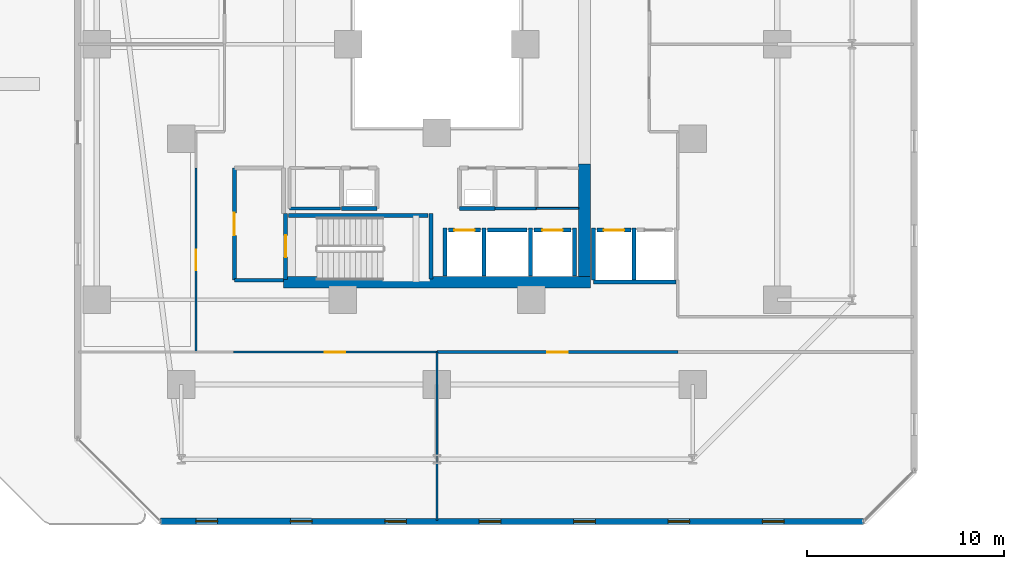
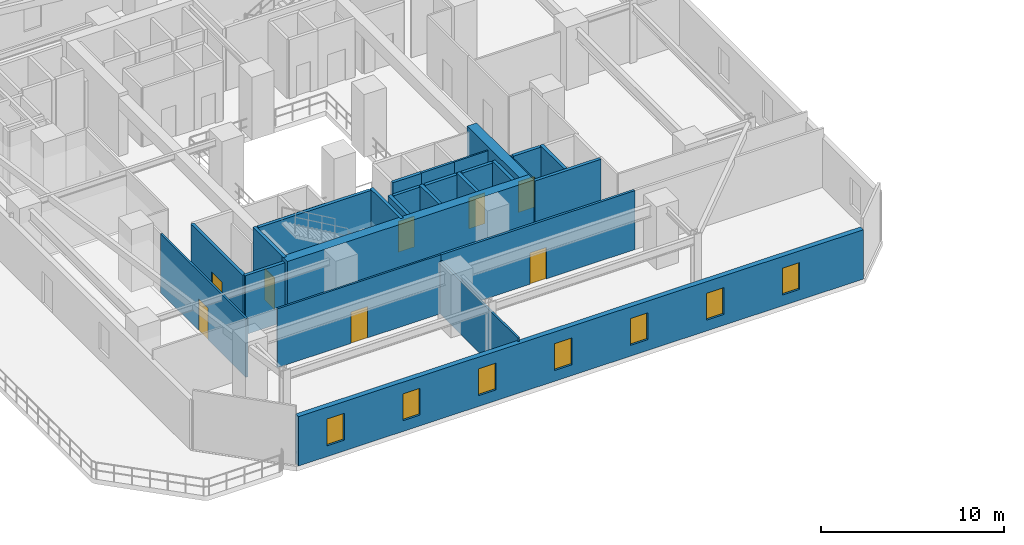
# One storey, part 19 of 33: 28 walls, 8 doors, 7 windows, 15 openings.
"""IFC4 building model written with IfcOpenShell, lengths in metres."""

from ifc_helpers import new_model, si_unit, direction, frame, frame_2d, origin, place, context, subcontext, project, spatial, rectangle, extrude, material, layer, layer_set, type_object, element, fill, save


model = new_model("IFC4")

# Units and contexts
model_context = context("Model", 3, precision=1e-05, world=origin(), true_north=direction((0.0, 1.0)))
body_context = subcontext(model_context, "Body", "Model", "MODEL_VIEW")
ifc_project = project(units=[si_unit("LENGTHUNIT", "METRE"), si_unit("AREAUNIT", "SQUARE_METRE"), si_unit("VOLUMEUNIT", "CUBIC_METRE"), si_unit("PLANEANGLEUNIT", "RADIAN"), si_unit("MASSUNIT", "GRAM", prefix="KILO")], contexts=[model_context])

# Site, building, storey
site_placement = place(None, origin())
site = spatial("IfcSite", under=ifc_project, at=site_placement, CompositionType="ELEMENT")
building_placement = place(site_placement, origin())
building = spatial("IfcBuilding", under=site, at=building_placement, Name="Thornwick Lancets Civic Towers", CompositionType="ELEMENT")
storey_placement = place(building_placement, frame((0.0, 0.0, 49.5)))
storey = spatial("IfcBuildingStorey", under=building, at=storey_placement, Name="L12", CompositionType="ELEMENT", Elevation=49.5)

# Wall, opening, door
ifc_material_1 = material(Name="Concrete blockwork C40/50", Category="masonry")
ifc_layer_1 = layer(ifc_material_1, 0.199951171875, Name="Concrete blockwork C40/50")
ifc_layer_set_1 = layer_set([ifc_layer_1], Name="Concrete blockwork C40/50")
wall_type_1 = type_object("IfcWallType", Name="WALL_COMP_200", PredefinedType="STANDARD", material=ifc_layer_set_1)
wall_1_placement = place(storey_placement, frame((26.080078125, 17.550048828125, 0.0), z_axis=(0.0, 0.0, 1.0), x_axis=(1.0, 0.0, 0.0)))
wall_1 = element("IfcWall", 1, at=wall_1_placement, inside=storey, type_object=wall_type_1, Name="L12 Hoistway Front Wall FL-A1", PredefinedType="STANDARD", context=body_context, shape_type="SweptSolid", body=[
    extrude(rectangle(XDim=1.639892578125, YDim=0.199951171875, at=frame_2d((0.81982421875, 0.0))), origin(), (0.0, 0.0, 1.0), 3.93994140625),
])
opening_1_placement = place(wall_1_placement, frame((0.31005859375, 0.0, 0.0)))
opening_1 = element("IfcOpeningElement", 2, at=opening_1_placement, cuts=wall_1, Name="Opening LD-FL-A1", PredefinedType="OPENING", context=body_context, shape_type="SweptSolid", body=[
    extrude(rectangle(XDim=1.02001953125, YDim=2.06005859375, at=frame_2d((0.510009765625, 1.030029296875))), frame((0.0, 0.10986328125, 0.0), z_axis=(0.0, -1.0, 0.0), x_axis=(1.0, 0.0, 0.0)), (0.0, 0.0, 1.0), 0.219970703125),
])
ifc_material_2 = material(Name="Brushed bronze stainless steel", Category="steel")
door_type_1 = type_object("IfcDoorType", Name="DOOR_LIFT_SLIDE", OperationType="SLIDING_TO_LEFT", PredefinedType="DOOR", material=ifc_material_2)
door_1_placement = place(opening_1_placement, origin())
door_1 = element("IfcDoor", 3, at=door_1_placement, inside=storey, type_object=door_type_1, Name="L12 Sliding Lift Landing Door LD-FL-A1", OperationType="SLIDING_TO_LEFT", OverallHeight=2.06005859375, OverallWidth=1.02001953125, PredefinedType="DOOR", context=body_context, shape_type="SweptSolid", body=[
    extrude(rectangle(XDim=1.02001953125, YDim=2.06005859375, at=frame_2d((0.510009765625, 1.030029296875))), frame((0.0, 0.02490234375, 0.0), z_axis=(0.0, -1.0, 0.0), x_axis=(1.0, 0.0, 0.0)), (0.0, 0.0, 1.0), 0.050048828125),
])
fill(opening_1, door_1)

# Wall
wall_2_placement = place(storey_placement, frame((28.080078125, 17.550048828125, 0.0), z_axis=(0.0, 0.0, 1.0), x_axis=(1.0, 0.0, 0.0)))
element("IfcWall", 4, at=wall_2_placement, inside=storey, type_object=wall_type_1, Name="L12 Hoistway Front Wall PL-AH1", PredefinedType="STANDARD", context=body_context, shape_type="SweptSolid", body=[
    extrude(rectangle(XDim=1.989990234375, YDim=0.199951171875, at=frame_2d((0.9951171875, 0.0))), origin(), (0.0, 0.0, 1.0), 3.93994140625),
])

# Wall, opening, door
wall_3_placement = place(storey_placement, frame((30.429931640625, 17.550048828125, 0.0), z_axis=(0.0, 0.0, 1.0), x_axis=(1.0, 0.0, 0.0)))
wall_3 = element("IfcWall", 5, at=wall_3_placement, inside=storey, type_object=wall_type_1, Name="L12 Hoistway Front Wall PL-AL1", PredefinedType="STANDARD", context=body_context, shape_type="SweptSolid", body=[
    extrude(rectangle(XDim=1.89013671875, YDim=0.199951171875, at=frame_2d((0.945068359375, 0.0))), origin(), (0.0, 0.0, 1.0), 3.93994140625),
])
opening_2_placement = place(wall_3_placement, frame((0.43505859375, 0.0, 0.0)))
opening_2 = element("IfcOpeningElement", 6, at=opening_2_placement, cuts=wall_3, Name="Opening LD-PL-AL1", PredefinedType="OPENING", context=body_context, shape_type="SweptSolid", body=[
    extrude(rectangle(XDim=1.02001953125, YDim=2.06005859375, at=frame_2d((0.510009765625, 1.030029296875))), frame((0.0, 0.10986328125, 0.0), z_axis=(0.0, -1.0, 0.0), x_axis=(1.0, 0.0, 0.0)), (0.0, 0.0, 1.0), 0.219970703125),
])
door_2_placement = place(opening_2_placement, origin())
door_2 = element("IfcDoor", 7, at=door_2_placement, inside=storey, type_object=door_type_1, Name="L12 Sliding Lift Landing Door LD-PL-AL1", OperationType="SLIDING_TO_LEFT", OverallHeight=2.06005859375, OverallWidth=1.02001953125, PredefinedType="DOOR", context=body_context, shape_type="SweptSolid", body=[
    extrude(rectangle(XDim=1.02001953125, YDim=2.06005859375, at=frame_2d((0.510009765625, 1.030029296875))), frame((0.0, 0.02490234375, 0.0), z_axis=(0.0, -1.0, 0.0), x_axis=(1.0, 0.0, 0.0)), (0.0, 0.0, 1.0), 0.050048828125),
])
fill(opening_2, door_2)

wall_4_placement = place(storey_placement, frame((33.6298828125, 17.550048828125, 0.0), z_axis=(0.0, 0.0, 1.0), x_axis=(1.0, 0.0, 0.0)))
wall_4 = element("IfcWall", 8, at=wall_4_placement, inside=storey, type_object=wall_type_1, Name="L12 Hoistway Front Wall PL-AL2", PredefinedType="STANDARD", context=body_context, shape_type="SweptSolid", body=[
    extrude(rectangle(XDim=1.740234375, YDim=0.199951171875, at=frame_2d((0.8701171875, 0.0))), origin(), (0.0, 0.0, 1.0), 3.93994140625),
])
opening_3_placement = place(wall_4_placement, frame((0.360107421875, 0.0, 0.0)))
opening_3 = element("IfcOpeningElement", 9, at=opening_3_placement, cuts=wall_4, Name="Opening LD-PL-AL2", PredefinedType="OPENING", context=body_context, shape_type="SweptSolid", body=[
    extrude(rectangle(XDim=1.02001953125, YDim=2.06005859375, at=frame_2d((0.510009765625, 1.030029296875))), frame((0.0, 0.10986328125, 0.0), z_axis=(0.0, -1.0, 0.0), x_axis=(1.0, 0.0, 0.0)), (0.0, 0.0, 1.0), 0.219970703125),
])
door_3_placement = place(opening_3_placement, origin())
door_3 = element("IfcDoor", 10, at=door_3_placement, inside=storey, type_object=door_type_1, Name="L12 Sliding Lift Landing Door LD-PL-AL2", OperationType="SLIDING_TO_LEFT", OverallHeight=2.06005859375, OverallWidth=1.02001953125, PredefinedType="DOOR", context=body_context, shape_type="SweptSolid", body=[
    extrude(rectangle(XDim=1.02001953125, YDim=2.06005859375, at=frame_2d((0.510009765625, 1.030029296875))), frame((0.0, 0.02490234375, 0.0), z_axis=(0.0, -1.0, 0.0), x_axis=(1.0, 0.0, 0.0)), (0.0, 0.0, 1.0), 0.050048828125),
])
fill(opening_3, door_3)

# Walls
for number, where, z_axis, x_axis, name in (
    (11, (27.89990234375, 15.2119140625, 0.0), (0.0, 0.0, 1.0), (0.0, 1.0, 0.0), "L12 Hoistway Shaft Wall FL-A1 E"),
    (12, (25.89990234375, 15.2119140625, 0.0), (0.0, 0.0, 1.0), (0.0, 1.0, 0.0), "L12 Hoistway Shaft Wall FL-A1 W"),
    (13, (30.25, 15.2119140625, 0.0), (0.0, 0.0, 1.0), (0.0, 1.0, 0.0), "L12 Hoistway Shaft Wall PL-AH1 E"),
    (14, (32.5, 15.2119140625, 0.0), (0.0, 0.0, 1.0), (0.0, 1.0, 0.0), "L12 Hoistway Shaft Wall PL-AL1 E"),
):
    element("IfcWall", number, at=place(storey_placement, frame(where, z_axis=z_axis, x_axis=x_axis)), inside=storey, type_object=wall_type_1, Name=name, PredefinedType="STANDARD", context=body_context, shape_type="SweptSolid", body=[
        extrude(rectangle(XDim=2.43603515625, YDim=0.199951171875, at=frame_2d((1.218017578125, 0.0))), origin(), (0.0, 0.0, 1.0), 3.93994140625),
    ])
wall_5_placement = place(storey_placement, frame((33.451904296875, 14.89990234375, 0.0), z_axis=(0.0, 0.0, 1.0), x_axis=(1.0, 0.0, 0.0)))
element("IfcWall", 15, at=wall_5_placement, inside=storey, type_object=wall_type_1, Name="L12 Hoistway Shaft Wall PL-AL2 S", PredefinedType="STANDARD", context=body_context, shape_type="SweptSolid", body=[
    extrude(rectangle(XDim=4.196044921875, YDim=0.199951171875, at=frame_2d((2.09814453125, 0.0))), origin(), (0.0, 0.0, 1.0), 3.93994140625),
])
for number, where, z_axis, x_axis, name in (
    (16, (35.52490234375, 15.011962890625, 0.0), (0.0, 0.0, 1.0), (0.0, 1.0, 0.0), "L12 Hoistway Shaft Wall PL-AL2 E"),
    (17, (33.449951171875, 15.011962890625, 0.0), (0.0, 0.0, 1.0), (0.0, 1.0, 0.0), "L12 Hoistway Shaft Wall PL-AL2 W"),
):
    element("IfcWall", number, at=place(storey_placement, frame(where, z_axis=z_axis, x_axis=x_axis)), inside=storey, type_object=wall_type_1, Name=name, PredefinedType="STANDARD", context=body_context, shape_type="SweptSolid", body=[
        extrude(rectangle(XDim=2.635986328125, YDim=0.199951171875, at=frame_2d((1.31787109375, 0.0))), origin(), (0.0, 0.0, 1.0), 3.93994140625),
    ])
wall_6_placement = place(storey_placement, frame((15.199951171875, 15.0, 0.0), z_axis=(0.0, 0.0, 1.0), x_axis=(1.0, 0.0, 0.0)))
element("IfcWall", 18, at=wall_6_placement, inside=storey, type_object=wall_type_1, Name="L12 Partition L12-A-FFLOB1 E1", PredefinedType="STANDARD", context=body_context, shape_type="SweptSolid", body=[
    extrude(rectangle(XDim=2.5, YDim=0.199951171875, at=frame_2d((1.25, 0.0))), origin(), (0.0, 0.0, 1.0), 3.93994140625),
])

# Wall, opening, door
wall_7_placement = place(storey_placement, frame((15.199951171875, 20.699951171875, 0.0), z_axis=(0.0, 0.0, 1.0), x_axis=(0.0, -1.0, 0.0)))
wall_7 = element("IfcWall", 19, at=wall_7_placement, inside=storey, type_object=wall_type_1, Name="L12 Partition L12-A-FFLOB1 E4", PredefinedType="STANDARD", context=body_context, shape_type="SweptSolid", body=[
    extrude(rectangle(XDim=5.699951171875, YDim=0.199951171875, at=frame_2d((2.85009765625, 0.0))), origin(), (0.0, 0.0, 1.0), 3.93994140625),
])
opening_4_placement = place(wall_7_placement, frame((2.27490234375, 0.0, 0.0)))
opening_4 = element("IfcOpeningElement", 20, at=opening_4_placement, cuts=wall_7, Name="Opening D-L12-0587", PredefinedType="OPENING", context=body_context, shape_type="SweptSolid", body=[
    extrude(rectangle(XDim=1.14990234375, YDim=2.10009765625, at=frame_2d((0.574951171875, 1.050048828125))), frame((0.0, 0.10986328125, 0.0), z_axis=(0.0, -1.0, 0.0), x_axis=(1.0, 0.0, 0.0)), (0.0, 0.0, 1.0), 0.219970703125),
])
ifc_material_3 = material(Name="Glazed fire-resisting steel", Category="steel")
door_type_2 = type_object("IfcDoorType", Name="DOOR_LOBBY_FD60", OperationType="NOTDEFINED", PredefinedType="DOOR", material=ifc_material_3)
door_4_placement = place(opening_4_placement, origin())
door_4 = element("IfcDoor", 21, at=door_4_placement, inside=storey, type_object=door_type_2, Name="L12 South Firefighting Lobby 1 Door", OperationType="SINGLE_SWING_RIGHT", OverallHeight=2.10009765625, OverallWidth=1.14990234375, PredefinedType="DOOR", context=body_context, shape_type="SweptSolid", body=[
    extrude(rectangle(XDim=1.14990234375, YDim=2.10009765625, at=frame_2d((0.574951171875, 1.050048828125))), frame((0.0, 0.02490234375, 0.0), z_axis=(0.0, -1.0, 0.0), x_axis=(1.0, 0.0, 0.0)), (0.0, 0.0, 1.0), 0.050048828125),
])
fill(opening_4, door_4)

# Walls
for number, where, z_axis, x_axis, name in (
    (22, (26.64990234375, 18.64990234375, 0.0), (0.0, 0.0, 1.0), (1.0, 0.0, 0.0), "L12 Partition L12-A-DUCT1 E1"),
    (23, (20.64990234375, 18.64990234375, 0.0), (0.0, 0.0, 1.0), (1.0, 0.0, 0.0), "L12 Partition L12-A-RISER1 E1"),
):
    element("IfcWall", number, at=place(storey_placement, frame(where, z_axis=z_axis, x_axis=x_axis)), inside=storey, type_object=wall_type_1, Name=name, PredefinedType="STANDARD", context=body_context, shape_type="SweptSolid", body=[
        extrude(rectangle(XDim=1.800048828125, YDim=0.199951171875, at=frame_2d((0.89990234375, 0.0))), origin(), (0.0, 0.0, 1.0), 3.93994140625),
    ])
ifc_material_4 = material(Name="Concrete C60/75", Category="concrete")
ifc_layer_2 = layer(ifc_material_4, 0.60009765625, Name="Concrete C60/75")
ifc_layer_set_2 = layer_set([ifc_layer_2], Name="Concrete C60/75")
wall_type_2 = type_object("IfcWallType", Name="WALL_CORE_600", PredefinedType="SHEAR", material=ifc_layer_set_2)
wall_8_placement = place(storey_placement, frame((17.699951171875, 14.89990234375, 0.0), z_axis=(0.0, 0.0, 1.0), x_axis=(1.0, 0.0, 0.0)))
element("IfcWall", 24, at=wall_8_placement, inside=storey, type_object=wall_type_2, Name="L12 Split Core A1 Shear Wall S", PredefinedType="SHEAR", context=body_context, shape_type="SweptSolid", body=[
    extrude(rectangle(XDim=15.60009765625, YDim=0.60009765625, at=frame_2d((7.800048828125, 0.0))), origin(), (0.0, 0.0, 1.0), 4.199951171875),
])
wall_9_placement = place(storey_placement, frame((33.0, 15.199951171875, 0.0), z_axis=(0.0, 0.0, 1.0), x_axis=(0.0, 1.0, 0.0)))
element("IfcWall", 25, at=wall_9_placement, inside=storey, type_object=wall_type_2, Name="L12 Split Core A1 Shear Wall E", PredefinedType="SHEAR", context=body_context, shape_type="SweptSolid", body=[
    extrude(rectangle(XDim=5.699951171875, YDim=0.60009765625, at=frame_2d((2.85009765625, 0.0))), origin(), (0.0, 0.0, 1.0), 4.199951171875),
])

# Wall, openings, windows
ifc_material_5 = material(Name="Insulated buff terracotta rainscreen on concrete C40/50", Category="masonry")
ifc_layer_3 = layer(ifc_material_5, 0.320068359375, Name="Insulated buff terracotta rainscreen on concrete C40/50")
ifc_layer_set_3 = layer_set([ifc_layer_3], Name="Insulated buff terracotta rainscreen on concrete C40/50")
wall_type_3 = type_object("IfcWallType", Name="WALL_EXT_TERRA_320", PredefinedType="STANDARD", material=ifc_layer_set_3)
wall_10_placement = place(storey_placement, frame((11.448486328125, 2.740478515625, 0.0), z_axis=(0.0, 0.0, 1.0), x_axis=(0.999999988703, -0.000150313265, 0.0)))
wall_10 = element("IfcWall", 26, at=wall_10_placement, inside=storey, type_object=wall_type_3, Name="L12 Tower A Terracotta Facade Wall E0", PredefinedType="STANDARD", context=body_context, shape_type="SweptSolid", body=[
    extrude(rectangle(XDim=35.732666015625, YDim=0.320068359375, at=frame_2d((17.8662109375, 0.0))), origin(), (0.0, 0.0, 1.0), 3.300048828125),
])
opening_5_placement = place(wall_10_placement, frame((1.800048828125, 0.0, 0.719970703125)))
opening_5 = element("IfcOpeningElement", 27, at=opening_5_placement, cuts=wall_10, Name="Opening WL-02", PredefinedType="OPENING", context=body_context, shape_type="SweptSolid", body=[
    extrude(rectangle(XDim=1.10009765625, YDim=1.800048828125, at=frame_2d((0.550048828125, 0.89990234375))), frame((0.0, 0.169921875, 0.0), z_axis=(0.0, -1.0, 0.0), x_axis=(1.0, 0.0, 0.0)), (0.0, 0.0, 1.0), 0.340087890625),
])
opening_6_placement = place(wall_10_placement, frame((6.60009765625, 0.0, 0.719970703125)))
opening_6 = element("IfcOpeningElement", 28, at=opening_6_placement, cuts=wall_10, Name="Opening WL-02", PredefinedType="OPENING", context=body_context, shape_type="SweptSolid", body=[
    extrude(rectangle(XDim=1.10009765625, YDim=1.800048828125, at=frame_2d((0.550048828125, 0.89990234375))), frame((0.0, 0.169921875, 0.0), z_axis=(0.0, -1.0, 0.0), x_axis=(1.0, 0.0, 0.0)), (0.0, 0.0, 1.0), 0.340087890625),
])
opening_7_placement = place(wall_10_placement, frame((11.39990234375, 0.0, 0.719970703125)))
opening_7 = element("IfcOpeningElement", 29, at=opening_7_placement, cuts=wall_10, Name="Opening WL-02", PredefinedType="OPENING", context=body_context, shape_type="SweptSolid", body=[
    extrude(rectangle(XDim=1.10009765625, YDim=1.800048828125, at=frame_2d((0.550048828125, 0.89990234375))), frame((0.0, 0.169921875, 0.0), z_axis=(0.0, -1.0, 0.0), x_axis=(1.0, 0.0, 0.0)), (0.0, 0.0, 1.0), 0.340087890625),
])
opening_8_placement = place(wall_10_placement, frame((16.199951171875, 0.0, 0.719970703125)))
opening_8 = element("IfcOpeningElement", 30, at=opening_8_placement, cuts=wall_10, Name="Opening WL-02", PredefinedType="OPENING", context=body_context, shape_type="SweptSolid", body=[
    extrude(rectangle(XDim=1.10009765625, YDim=1.800048828125, at=frame_2d((0.550048828125, 0.89990234375))), frame((0.0, 0.169921875, 0.0), z_axis=(0.0, -1.0, 0.0), x_axis=(1.0, 0.0, 0.0)), (0.0, 0.0, 1.0), 0.340087890625),
])
opening_9_placement = place(wall_10_placement, frame((21.0, 0.0, 0.719970703125)))
opening_9 = element("IfcOpeningElement", 31, at=opening_9_placement, cuts=wall_10, Name="Opening WL-02", PredefinedType="OPENING", context=body_context, shape_type="SweptSolid", body=[
    extrude(rectangle(XDim=1.10009765625, YDim=1.800048828125, at=frame_2d((0.550048828125, 0.89990234375))), frame((0.0, 0.169921875, 0.0), z_axis=(0.0, -1.0, 0.0), x_axis=(1.0, 0.0, 0.0)), (0.0, 0.0, 1.0), 0.340087890625),
])
opening_10_placement = place(wall_10_placement, frame((25.800048828125, 0.0, 0.719970703125)))
opening_10 = element("IfcOpeningElement", 32, at=opening_10_placement, cuts=wall_10, Name="Opening WL-02", PredefinedType="OPENING", context=body_context, shape_type="SweptSolid", body=[
    extrude(rectangle(XDim=1.10009765625, YDim=1.800048828125, at=frame_2d((0.550048828125, 0.89990234375))), frame((0.0, 0.169921875, 0.0), z_axis=(0.0, -1.0, 0.0), x_axis=(1.0, 0.0, 0.0)), (0.0, 0.0, 1.0), 0.340087890625),
])
opening_11_placement = place(wall_10_placement, frame((30.60009765625, 0.0, 0.719970703125)))
opening_11 = element("IfcOpeningElement", 33, at=opening_11_placement, cuts=wall_10, Name="Opening WL-02", PredefinedType="OPENING", context=body_context, shape_type="SweptSolid", body=[
    extrude(rectangle(XDim=1.10009765625, YDim=1.800048828125, at=frame_2d((0.550048828125, 0.89990234375))), frame((0.0, 0.169921875, 0.0), z_axis=(0.0, -1.0, 0.0), x_axis=(1.0, 0.0, 0.0)), (0.0, 0.0, 1.0), 0.340087890625),
])
ifc_material_6 = material(Name="Clear low-e double glazing in bronze frame", Category="glass")
window_type = type_object("IfcWindowType", Name="WIN_LANCET_1100", PartitioningType="SINGLE_PANEL", PredefinedType="WINDOW", material=ifc_material_6)
window_1_placement = place(opening_5_placement, origin())
window_1 = element("IfcWindow", 34, at=window_1_placement, inside=storey, type_object=window_type, Name="L12 Tower A Staggered Lancet Window E0-1", OverallHeight=1.800048828125, OverallWidth=1.10009765625, PartitioningType="SINGLE_PANEL", PredefinedType="WINDOW", context=body_context, shape_type="SweptSolid", body=[
    extrude(rectangle(XDim=1.10009765625, YDim=1.800048828125, at=frame_2d((0.550048828125, 0.89990234375))), frame((0.0, 0.030029296875, 0.0), z_axis=(0.0, -1.0, 0.0), x_axis=(1.0, 0.0, 0.0)), (0.0, 0.0, 1.0), 0.06005859375),
])
fill(opening_5, window_1)
window_2_placement = place(opening_6_placement, origin())
window_2 = element("IfcWindow", 35, at=window_2_placement, inside=storey, type_object=window_type, Name="L12 Tower A Staggered Lancet Window E0-2", OverallHeight=1.800048828125, OverallWidth=1.10009765625, PartitioningType="SINGLE_PANEL", PredefinedType="WINDOW", context=body_context, shape_type="SweptSolid", body=[
    extrude(rectangle(XDim=1.10009765625, YDim=1.800048828125, at=frame_2d((0.550048828125, 0.89990234375))), frame((0.0, 0.030029296875, 0.0), z_axis=(0.0, -1.0, 0.0), x_axis=(1.0, 0.0, 0.0)), (0.0, 0.0, 1.0), 0.06005859375),
])
fill(opening_6, window_2)
window_3_placement = place(opening_7_placement, origin())
window_3 = element("IfcWindow", 36, at=window_3_placement, inside=storey, type_object=window_type, Name="L12 Tower A Staggered Lancet Window E0-3", OverallHeight=1.800048828125, OverallWidth=1.10009765625, PartitioningType="SINGLE_PANEL", PredefinedType="WINDOW", context=body_context, shape_type="SweptSolid", body=[
    extrude(rectangle(XDim=1.10009765625, YDim=1.800048828125, at=frame_2d((0.550048828125, 0.89990234375))), frame((0.0, 0.030029296875, 0.0), z_axis=(0.0, -1.0, 0.0), x_axis=(1.0, 0.0, 0.0)), (0.0, 0.0, 1.0), 0.06005859375),
])
fill(opening_7, window_3)
window_4_placement = place(opening_8_placement, origin())
window_4 = element("IfcWindow", 37, at=window_4_placement, inside=storey, type_object=window_type, Name="L12 Tower A Staggered Lancet Window E0-4", OverallHeight=1.800048828125, OverallWidth=1.10009765625, PartitioningType="SINGLE_PANEL", PredefinedType="WINDOW", context=body_context, shape_type="SweptSolid", body=[
    extrude(rectangle(XDim=1.10009765625, YDim=1.800048828125, at=frame_2d((0.550048828125, 0.89990234375))), frame((0.0, 0.030029296875, 0.0), z_axis=(0.0, -1.0, 0.0), x_axis=(1.0, 0.0, 0.0)), (0.0, 0.0, 1.0), 0.06005859375),
])
fill(opening_8, window_4)
window_5_placement = place(opening_9_placement, origin())
window_5 = element("IfcWindow", 38, at=window_5_placement, inside=storey, type_object=window_type, Name="L12 Tower A Staggered Lancet Window E0-5", OverallHeight=1.800048828125, OverallWidth=1.10009765625, PartitioningType="SINGLE_PANEL", PredefinedType="WINDOW", context=body_context, shape_type="SweptSolid", body=[
    extrude(rectangle(XDim=1.10009765625, YDim=1.800048828125, at=frame_2d((0.550048828125, 0.89990234375))), frame((0.0, 0.030029296875, 0.0), z_axis=(0.0, -1.0, 0.0), x_axis=(1.0, 0.0, 0.0)), (0.0, 0.0, 1.0), 0.06005859375),
])
fill(opening_9, window_5)
window_6_placement = place(opening_10_placement, origin())
window_6 = element("IfcWindow", 39, at=window_6_placement, inside=storey, type_object=window_type, Name="L12 Tower A Staggered Lancet Window E0-6", OverallHeight=1.800048828125, OverallWidth=1.10009765625, PartitioningType="SINGLE_PANEL", PredefinedType="WINDOW", context=body_context, shape_type="SweptSolid", body=[
    extrude(rectangle(XDim=1.10009765625, YDim=1.800048828125, at=frame_2d((0.550048828125, 0.89990234375))), frame((0.0, 0.030029296875, 0.0), z_axis=(0.0, -1.0, 0.0), x_axis=(1.0, 0.0, 0.0)), (0.0, 0.0, 1.0), 0.06005859375),
])
fill(opening_10, window_6)
window_7_placement = place(opening_11_placement, origin())
window_7 = element("IfcWindow", 40, at=window_7_placement, inside=storey, type_object=window_type, Name="L12 Tower A Staggered Lancet Window E0-7", OverallHeight=1.800048828125, OverallWidth=1.10009765625, PartitioningType="SINGLE_PANEL", PredefinedType="WINDOW", context=body_context, shape_type="SweptSolid", body=[
    extrude(rectangle(XDim=1.10009765625, YDim=1.800048828125, at=frame_2d((0.550048828125, 0.89990234375))), frame((0.0, 0.030029296875, 0.0), z_axis=(0.0, -1.0, 0.0), x_axis=(1.0, 0.0, 0.0)), (0.0, 0.0, 1.0), 0.06005859375),
])
fill(opening_11, window_7)

# Wall
ifc_material_7 = material(Name="Lightweight cellular office partition")
ifc_layer_4 = layer(ifc_material_7, 0.10009765625, Name="Lightweight cellular office partition")
ifc_layer_set_4 = layer_set([ifc_layer_4], Name="Lightweight cellular office partition")
wall_type_4 = type_object("IfcWallType", Name="WALL_PART_100", PredefinedType="PARTITIONING", material=ifc_layer_set_4)
wall_11_placement = place(storey_placement, frame((32.699951171875, 18.64990234375, 0.0), z_axis=(0.0, 0.0, 1.0), x_axis=(-1.0, 0.0, 0.0)))
element("IfcWall", 41, at=wall_11_placement, inside=storey, type_object=wall_type_4, Name="L12 Partition L12-A-CLN E2", PredefinedType="PARTITIONING", context=body_context, shape_type="SweptSolid", body=[
    extrude(rectangle(XDim=2.14990234375, YDim=0.10009765625, at=frame_2d((1.074951171875, 0.0))), origin(), (0.0, 0.0, 1.0), 3.93994140625),
])

# Wall, opening, door
ifc_material_8 = material(Name="Acoustic gypsum board partition")
ifc_layer_5 = layer(ifc_material_8, 0.1201171875, Name="Acoustic gypsum board partition")
ifc_layer_set_5 = layer_set([ifc_layer_5], Name="Acoustic gypsum board partition")
wall_type_5 = type_object("IfcWallType", Name="WALL_PART_120", PredefinedType="PARTITIONING", material=ifc_layer_set_5)
wall_12_placement = place(storey_placement, frame((13.25, 20.699951171875, 0.0), z_axis=(0.0, 0.0, 1.0), x_axis=(0.0, -1.0, 0.0)))
wall_12 = element("IfcWall", 42, at=wall_12_placement, inside=storey, type_object=wall_type_5, Name="L12 Partition L12-A-W1 E4", PredefinedType="PARTITIONING", context=body_context, shape_type="SweptSolid", body=[
    extrude(rectangle(XDim=9.349853515625, YDim=0.1201171875, at=frame_2d((4.6748046875, 0.0))), origin(), (0.0, 0.0, 1.0), 3.93994140625),
])
opening_12_placement = place(wall_12_placement, frame((4.14990234375, 0.0, 0.0)))
opening_12 = element("IfcOpeningElement", 43, at=opening_12_placement, cuts=wall_12, Name="Opening D-L12-0609", PredefinedType="OPENING", context=body_context, shape_type="SweptSolid", body=[
    extrude(rectangle(XDim=1.050048828125, YDim=2.10009765625, at=frame_2d((0.52490234375, 1.050048828125))), frame((0.0, 0.070068359375, 0.0), z_axis=(0.0, -1.0, 0.0), x_axis=(1.0, 0.0, 0.0)), (0.0, 0.0, 1.0), 0.14013671875),
])
ifc_material_9 = material(Name="Glazed European oak executive doorset")
door_type_3 = type_object("IfcDoorType", Name="DOOR_OFFICE_1050", OperationType="NOTDEFINED", PredefinedType="DOOR", material=ifc_material_9)
door_5_placement = place(opening_12_placement, origin())
door_5 = element("IfcDoor", 44, at=door_5_placement, inside=storey, type_object=door_type_3, Name="L12 Tower A Ministry Directorate Office W1 Door", OperationType="SINGLE_SWING_RIGHT", OverallHeight=2.10009765625, OverallWidth=1.050048828125, PredefinedType="DOOR", context=body_context, shape_type="SweptSolid", body=[
    extrude(rectangle(XDim=1.050048828125, YDim=2.10009765625, at=frame_2d((0.52490234375, 1.050048828125))), frame((0.0, 0.02490234375, 0.0), z_axis=(0.0, -1.0, 0.0), x_axis=(1.0, 0.0, 0.0)), (0.0, 0.0, 1.0), 0.050048828125),
])
fill(opening_12, door_5)

wall_13_placement = place(storey_placement, frame((15.14990234375, 11.35009765625, 0.0), z_axis=(0.0, 0.0, 1.0), x_axis=(1.0, 0.0, 0.0)))
wall_13 = element("IfcWall", 45, at=wall_13_placement, inside=storey, type_object=wall_type_5, Name="L12 Partition L12-A-S-OFF E2", PredefinedType="PARTITIONING", context=body_context, shape_type="SweptSolid", body=[
    extrude(rectangle(XDim=10.35009765625, YDim=0.1201171875, at=frame_2d((5.175048828125, 0.0))), origin(), (0.0, 0.0, 1.0), 3.93994140625),
])
opening_13_placement = place(wall_13_placement, frame((4.64990234375, 0.0, 0.0)))
opening_13 = element("IfcOpeningElement", 46, at=opening_13_placement, cuts=wall_13, Name="Opening D-L12-0613", PredefinedType="OPENING", context=body_context, shape_type="SweptSolid", body=[
    extrude(rectangle(XDim=1.050048828125, YDim=2.10009765625, at=frame_2d((0.52490234375, 1.050048828125))), frame((0.0, 0.070068359375, 0.0), z_axis=(0.0, -1.0, 0.0), x_axis=(1.0, 0.0, 0.0)), (0.0, 0.0, 1.0), 0.14013671875),
])
door_6_placement = place(opening_13_placement, origin())
door_6 = element("IfcDoor", 47, at=door_6_placement, inside=storey, type_object=door_type_3, Name="L12 Tower A South Division Office Door", OperationType="SINGLE_SWING_RIGHT", OverallHeight=2.10009765625, OverallWidth=1.050048828125, PredefinedType="DOOR", context=body_context, shape_type="SweptSolid", body=[
    extrude(rectangle(XDim=1.050048828125, YDim=2.10009765625, at=frame_2d((0.52490234375, 1.050048828125))), frame((0.0, 0.02490234375, 0.0), z_axis=(0.0, -1.0, 0.0), x_axis=(1.0, 0.0, 0.0)), (0.0, 0.0, 1.0), 0.050048828125),
])
fill(opening_13, door_6)

# Walls
wall_14_placement = place(storey_placement, frame((25.5, 11.35009765625, 0.0), z_axis=(0.0, 0.0, 1.0), x_axis=(0.0, -1.0, 0.0)))
element("IfcWall", 48, at=wall_14_placement, inside=storey, type_object=wall_type_5, Name="L12 Partition L12-A-S-OFF E3", PredefinedType="PARTITIONING", context=body_context, shape_type="SweptSolid", body=[
    extrude(rectangle(XDim=8.570068359375, YDim=0.1201171875, at=frame_2d((4.28515625, 0.0))), origin(), (0.0, 0.0, 1.0), 3.5322265625),
])
ifc_material_10 = material(Name="Twin-stud acoustic gypsum board")
ifc_layer_6 = layer(ifc_material_10, 0.14990234375, Name="Twin-stud acoustic gypsum board")
ifc_layer_set_6 = layer_set([ifc_layer_6], Name="Twin-stud acoustic gypsum board")
wall_type_6 = type_object("IfcWallType", Name="WALL_PART_150", PredefinedType="PARTITIONING", material=ifc_layer_set_6)
wall_15_placement = place(storey_placement, frame((18.0, 18.64990234375, 0.0), z_axis=(0.0, 0.0, 1.0), x_axis=(1.0, 0.0, 0.0)))
element("IfcWall", 49, at=wall_15_placement, inside=storey, type_object=wall_type_6, Name="L12 Partition L12-A-AWC E1", PredefinedType="PARTITIONING", context=body_context, shape_type="SweptSolid", body=[
    extrude(rectangle(XDim=2.60009765625, YDim=0.14990234375, at=frame_2d((1.300048828125, 0.0))), origin(), (0.0, 0.0, 1.0), 3.93994140625),
])
wall_16_placement = place(storey_placement, frame((30.550048828125, 18.64990234375, 0.0), z_axis=(0.0, 0.0, 1.0), x_axis=(-1.0, 0.0, 0.0)))
element("IfcWall", 50, at=wall_16_placement, inside=storey, type_object=wall_type_6, Name="L12 Partition L12-A-MWC E2", PredefinedType="PARTITIONING", context=body_context, shape_type="SweptSolid", body=[
    extrude(rectangle(XDim=2.10009765625, YDim=0.14990234375, at=frame_2d((1.050048828125, 0.0))), origin(), (0.0, 0.0, 1.0), 3.93994140625),
])

# Wall, opening, door
wall_17_placement = place(storey_placement, frame((25.5, 11.35009765625, 0.0), z_axis=(0.0, 0.0, 1.0), x_axis=(1.0, 0.0, 0.0)))
wall_17 = element("IfcWall", 51, at=wall_17_placement, inside=storey, type_object=wall_type_6, Name="L12 Partition L12-A-S-ARCH E3", PredefinedType="PARTITIONING", context=body_context, shape_type="SweptSolid", body=[
    extrude(rectangle(XDim=12.25, YDim=0.14990234375, at=frame_2d((6.125, 0.0))), origin(), (0.0, 0.0, 1.0), 3.93994140625),
])
opening_14_placement = place(wall_17_placement, frame((5.60009765625, 0.0, 0.0)))
opening_14 = element("IfcOpeningElement", 52, at=opening_14_placement, cuts=wall_17, Name="Opening D-L12-0614", PredefinedType="OPENING", context=body_context, shape_type="SweptSolid", body=[
    extrude(rectangle(XDim=1.050048828125, YDim=2.10009765625, at=frame_2d((0.52490234375, 1.050048828125))), frame((0.0, 0.0849609375, 0.0), z_axis=(0.0, -1.0, 0.0), x_axis=(1.0, 0.0, 0.0)), (0.0, 0.0, 1.0), 0.169921875),
])
door_7_placement = place(opening_14_placement, origin())
door_7 = element("IfcDoor", 53, at=door_7_placement, inside=storey, type_object=door_type_3, Name="L12 Tower A Registry and Records Archive Door", OperationType="SINGLE_SWING_LEFT", OverallHeight=2.10009765625, OverallWidth=1.050048828125, PredefinedType="DOOR", context=body_context, shape_type="SweptSolid", body=[
    extrude(rectangle(XDim=1.050048828125, YDim=2.10009765625, at=frame_2d((0.52490234375, 1.050048828125))), frame((0.0, 0.02490234375, 0.0), z_axis=(0.0, -1.0, 0.0), x_axis=(1.0, 0.0, 0.0)), (0.0, 0.0, 1.0), 0.050048828125),
])
fill(opening_14, door_7)

ifc_material_11 = material(Name="Concrete C40/50", Category="concrete")
ifc_layer_7 = layer(ifc_material_11, 0.199951171875, Name="Concrete C40/50")
ifc_layer_set_7 = layer_set([ifc_layer_7], Name="Concrete C40/50")
wall_type_7 = type_object("IfcWallType", Name="WALL_SHAFT_200", PredefinedType="SHEAR", material=ifc_layer_set_7)
wall_18_placement = place(storey_placement, frame((17.800048828125, 15.050048828125, 0.0), z_axis=(0.0, 0.0, 1.0), x_axis=(0.0, 1.0, 0.0)))
wall_18 = element("IfcWall", 54, at=wall_18_placement, inside=storey, type_object=wall_type_7, Name="L12 ST-A1 Fire Stair Core Wall NEAR", PredefinedType="SHEAR", context=body_context, shape_type="SweptSolid", body=[
    extrude(rectangle(XDim=3.349853515625, YDim=0.199951171875, at=frame_2d((1.6748046875, 0.0))), origin(), (0.0, 0.0, 1.0), 4.199951171875),
])
opening_15_placement = place(wall_18_placement, frame((1.125, 0.0, 0.0)))
opening_15 = element("IfcOpeningElement", 55, at=opening_15_placement, cuts=wall_18, Name="Opening D-ST-A1-L12", PredefinedType="OPENING", context=body_context, shape_type="SweptSolid", body=[
    extrude(rectangle(XDim=1.10009765625, YDim=2.10009765625, at=frame_2d((0.550048828125, 1.050048828125))), frame((0.0, 0.10986328125, 0.0), z_axis=(0.0, -1.0, 0.0), x_axis=(1.0, 0.0, 0.0)), (0.0, 0.0, 1.0), 0.219970703125),
])
ifc_material_12 = material(Name="Fire-resisting steel and hardwood", Category="steel")
door_type_4 = type_object("IfcDoorType", Name="DOOR_STAIR_FD60", OperationType="NOTDEFINED", PredefinedType="DOOR", material=ifc_material_12)
door_8_placement = place(opening_15_placement, origin())
door_8 = element("IfcDoor", 56, at=door_8_placement, inside=storey, type_object=door_type_4, Name="L12 ST-A1 Exit Stair Door", OperationType="SINGLE_SWING_RIGHT", OverallHeight=2.10009765625, OverallWidth=1.10009765625, PredefinedType="DOOR", context=body_context, shape_type="SweptSolid", body=[
    extrude(rectangle(XDim=1.10009765625, YDim=2.10009765625, at=frame_2d((0.550048828125, 1.050048828125))), frame((0.0, 0.02490234375, 0.0), z_axis=(0.0, -1.0, 0.0), x_axis=(1.0, 0.0, 0.0)), (0.0, 0.0, 1.0), 0.050048828125),
])
fill(opening_15, door_8)

# Walls
wall_19_placement = place(storey_placement, frame((25.199951171875, 18.39990234375, 0.0), z_axis=(0.0, 0.0, 1.0), x_axis=(0.0, -1.0, 0.0)))
element("IfcWall", 57, at=wall_19_placement, inside=storey, type_object=wall_type_7, Name="L12 ST-A1 Fire Stair Core Wall FAR", PredefinedType="SHEAR", context=body_context, shape_type="SweptSolid", body=[
    extrude(rectangle(XDim=3.349853515625, YDim=0.199951171875, at=frame_2d((1.6748046875, 0.0))), origin(), (0.0, 0.0, 1.0), 4.199951171875),
])
wall_20_placement = place(storey_placement, frame((25.050048828125, 18.297119140625, 0.0), z_axis=(0.0, 0.0, 1.0), x_axis=(-1.0, 0.0, 0.0)))
element("IfcWall", 58, at=wall_20_placement, inside=storey, type_object=wall_type_7, Name="L12 ST-A1 Fire Stair Core Wall RIGHT", PredefinedType="SHEAR", context=body_context, shape_type="SweptSolid", body=[
    extrude(rectangle(XDim=7.10009765625, YDim=0.199951171875, at=frame_2d((3.550048828125, 0.0))), origin(), (0.0, 0.0, 1.0), 4.199951171875),
])

save(model, "model.ifc")
